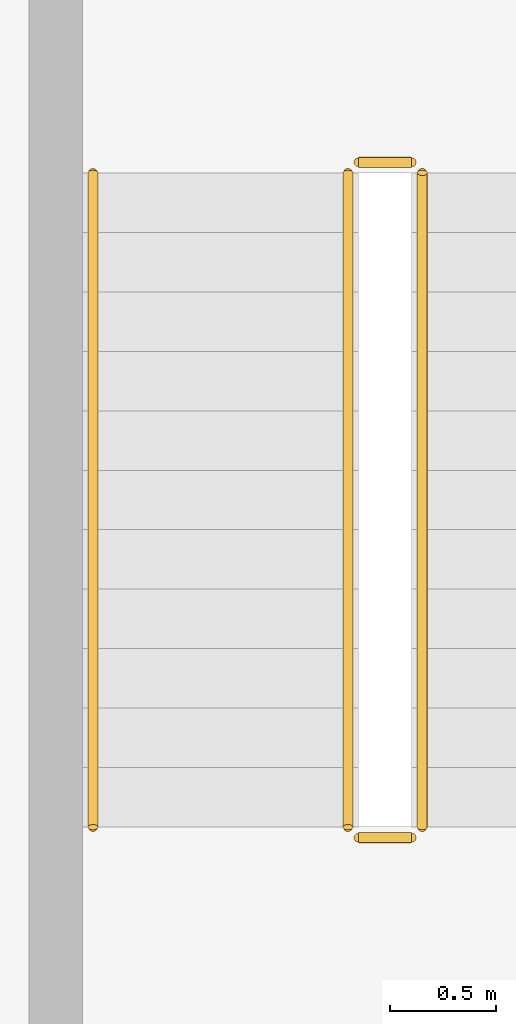
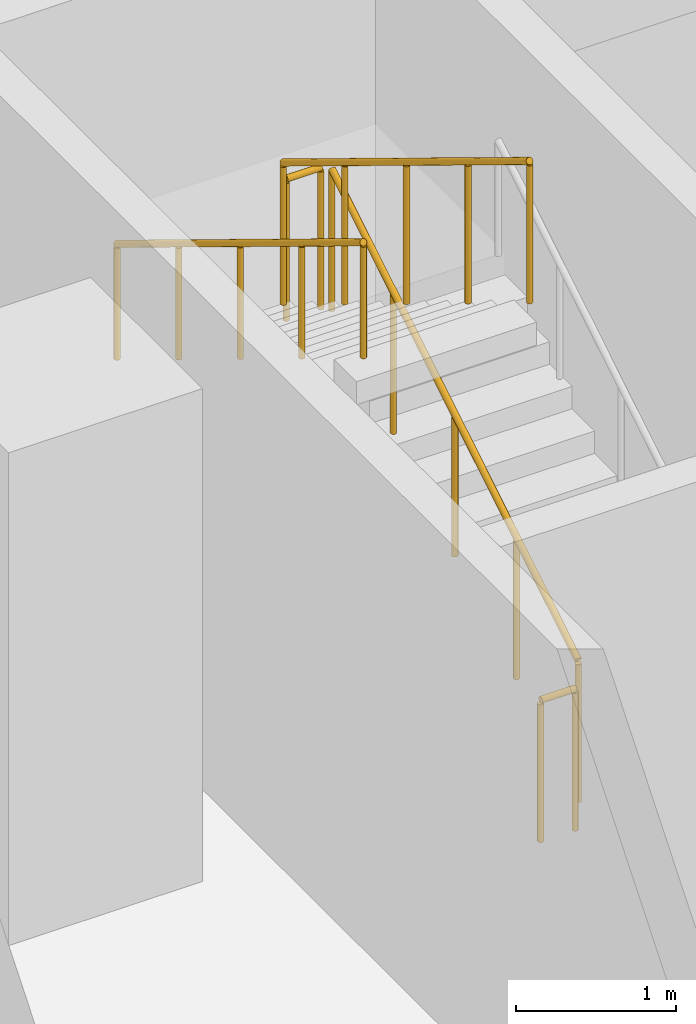
# One storey, part 26 of 29: 5 railings.
"""IFC4 building model written with IfcOpenShell, lengths in metres."""

from ifc_helpers import new_model, si_unit, direction, frame, origin, origin_2d, place, context, subcontext, project, spatial, circle, extrude, material, type_object, element, save


model = new_model("IFC4")

# Units and contexts
model_context = context("Model", 3, precision=1e-05, world=origin(), true_north=direction((0.0, 1.0)))
body_context = subcontext(model_context, "Body", "Model", "MODEL_VIEW")
ifc_project = project(units=[si_unit("LENGTHUNIT", "METRE"), si_unit("AREAUNIT", "SQUARE_METRE"), si_unit("VOLUMEUNIT", "CUBIC_METRE"), si_unit("PLANEANGLEUNIT", "RADIAN"), si_unit("MASSUNIT", "GRAM", prefix="KILO")], contexts=[model_context])

# Site, building, storey
site_placement = place(None, origin())
site = spatial("IfcSite", under=ifc_project, at=site_placement, CompositionType="ELEMENT")
building_placement = place(site_placement, origin())
building = spatial("IfcBuilding", under=site, at=building_placement, Name="Mahtab Terrace Research Tower", CompositionType="ELEMENT")
storey_placement = place(building_placement, frame((0.0, 0.0, 93.0)))
storey = spatial("IfcBuildingStorey", under=building, at=storey_placement, Name="L21", CompositionType="ELEMENT", Elevation=93.0)

# Railings
ifc_material = material(Name="Stainless steel AISI 304", Category="steel")
railing_type_1 = type_object("IfcRailingType", Name="Stair guard 1100", PredefinedType="GUARDRAIL", material=ifc_material)
railing_1_placement = place(storey_placement, frame((21.050048828125, 10.175048828125, 0.1708984375)))
element("IfcRailing", 1, at=railing_1_placement, inside=storey, type_object=railing_type_1, Name="L21 ST3 stair guard 1", PredefinedType="GUARDRAIL", context=body_context, shape_type="SweptSolid", body=[
    extrude(circle(Radius=0.02392578125, at=origin_2d()), frame((0.0, 0.0, 1.076171875), z_axis=(0.0, 0.853647949592, 0.520850437417), x_axis=(-1.0, 0.0, 0.0)), (0.0, 0.0, 1.0), 3.60791015625),
    extrude(circle(Radius=0.02099609375, at=origin_2d()), origin(), (0.0, 0.0, 1.0), 1.052001953125),
    extrude(circle(Radius=0.02099609375, at=origin_2d()), frame((0.0, 0.77001953125, 0.4697265625)), (0.0, 0.0, 1.0), 1.052001953125),
    extrude(circle(Radius=0.02099609375, at=origin_2d()), frame((0.0, 1.5400390625, 0.939453125)), (0.0, 0.0, 1.0), 1.052001953125),
    extrude(circle(Radius=0.02099609375, at=origin_2d()), frame((0.0, 2.309814453125, 1.409423828125)), (0.0, 0.0, 1.0), 1.052001953125),
    extrude(circle(Radius=0.02099609375, at=origin_2d()), frame((0.0, 3.079833984375, 1.879150390625)), (0.0, 0.0, 1.0), 1.052001953125),
])
railing_2_placement = place(storey_placement, frame((21.0, 13.304931640625, 2.050048828125)))
element("IfcRailing", 2, at=railing_2_placement, inside=storey, type_object=railing_type_1, Name="L21 ST3 stair guard 2", PredefinedType="GUARDRAIL", context=body_context, shape_type="SweptSolid", body=[
    extrude(circle(Radius=0.02392578125, at=origin_2d()), frame((0.0, 0.0, 1.076171875), z_axis=(-1.0, 0.0, 0.0), x_axis=(0.0, -1.0, 0.0)), (0.0, 0.0, 1.0), 0.25),
    extrude(circle(Radius=0.02099609375, at=origin_2d()), origin(), (0.0, 0.0, 1.0), 1.052001953125),
    extrude(circle(Radius=0.02099609375, at=origin_2d()), frame((-0.25, 0.0, 0.0)), (0.0, 0.0, 1.0), 1.052001953125),
])
railing_3_placement = place(storey_placement, frame((20.699951171875, 13.2548828125, 2.220947265625)))
element("IfcRailing", 3, at=railing_3_placement, inside=storey, type_object=railing_type_1, Name="L21 ST3 stair guard 3", PredefinedType="GUARDRAIL", context=body_context, shape_type="SweptSolid", body=[
    extrude(circle(Radius=0.02392578125, at=origin_2d()), frame((0.0, 0.0, 1.076171875), z_axis=(0.0, -0.853647949592, 0.520850437417), x_axis=(1.0, 0.0, 0.0)), (0.0, 0.0, 1.0), 3.60791015625),
    extrude(circle(Radius=0.02099609375, at=origin_2d()), origin(), (0.0, 0.0, 1.0), 1.052001953125),
    extrude(circle(Radius=0.02099609375, at=origin_2d()), frame((0.0, -0.77001953125, 0.4697265625)), (0.0, 0.0, 1.0), 1.052001953125),
    extrude(circle(Radius=0.02099609375, at=origin_2d()), frame((0.0, -1.5400390625, 0.939453125)), (0.0, 0.0, 1.0), 1.052001953125),
    extrude(circle(Radius=0.02099609375, at=origin_2d()), frame((0.0, -2.309814453125, 1.409423828125)), (0.0, 0.0, 1.0), 1.052001953125),
    extrude(circle(Radius=0.02099609375, at=origin_2d()), frame((0.0, -3.079833984375, 1.879150390625)), (0.0, 0.0, 1.0), 1.052001953125),
])
railing_4_placement = place(storey_placement, frame((21.0, 10.125, 0.0)))
element("IfcRailing", 4, at=railing_4_placement, inside=storey, type_object=railing_type_1, Name="L21 ST3 stair guard 4", PredefinedType="GUARDRAIL", context=body_context, shape_type="SweptSolid", body=[
    extrude(circle(Radius=0.02392578125, at=origin_2d()), frame((0.0, 0.0, 1.076171875), z_axis=(-1.0, 0.0, 0.0), x_axis=(0.0, -1.0, 0.0)), (0.0, 0.0, 1.0), 0.25),
    extrude(circle(Radius=0.02099609375, at=origin_2d()), origin(), (0.0, 0.0, 1.0), 1.052001953125),
    extrude(circle(Radius=0.02099609375, at=origin_2d()), frame((-0.25, 0.0, 0.0)), (0.0, 0.0, 1.0), 1.052001953125),
])
railing_type_2 = type_object("IfcRailingType", Name="Stair handrail 900", PredefinedType="HANDRAIL", material=ifc_material)
railing_5_placement = place(storey_placement, frame((19.5, 13.2548828125, 2.220947265625)))
element("IfcRailing", 5, at=railing_5_placement, inside=storey, type_object=railing_type_2, Name="L21 ST3 stair handrail 2", PredefinedType="HANDRAIL", context=body_context, shape_type="SweptSolid", body=[
    extrude(circle(Radius=0.02392578125, at=origin_2d()), frame((0.0, 0.0, 0.8759765625), z_axis=(0.0, -0.853647949592, 0.520850437417), x_axis=(1.0, 0.0, 0.0)), (0.0, 0.0, 1.0), 3.60791015625),
    extrude(circle(Radius=0.02099609375, at=origin_2d()), origin(), (0.0, 0.0, 1.0), 0.851806640625),
    extrude(circle(Radius=0.02099609375, at=origin_2d()), frame((0.0, -0.77001953125, 0.4697265625)), (0.0, 0.0, 1.0), 0.851806640625),
    extrude(circle(Radius=0.02099609375, at=origin_2d()), frame((0.0, -1.5400390625, 0.939453125)), (0.0, 0.0, 1.0), 0.851806640625),
    extrude(circle(Radius=0.02099609375, at=origin_2d()), frame((0.0, -2.309814453125, 1.409423828125)), (0.0, 0.0, 1.0), 0.851806640625),
    extrude(circle(Radius=0.02099609375, at=origin_2d()), frame((0.0, -3.079833984375, 1.879150390625)), (0.0, 0.0, 1.0), 0.851806640625),
])

save(model, "model.ifc")
